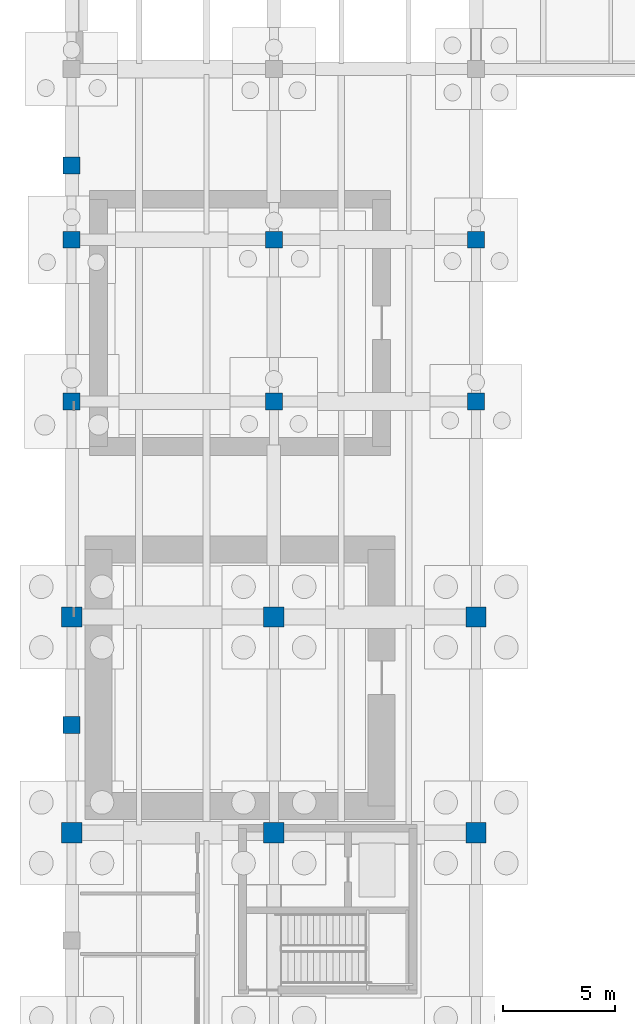
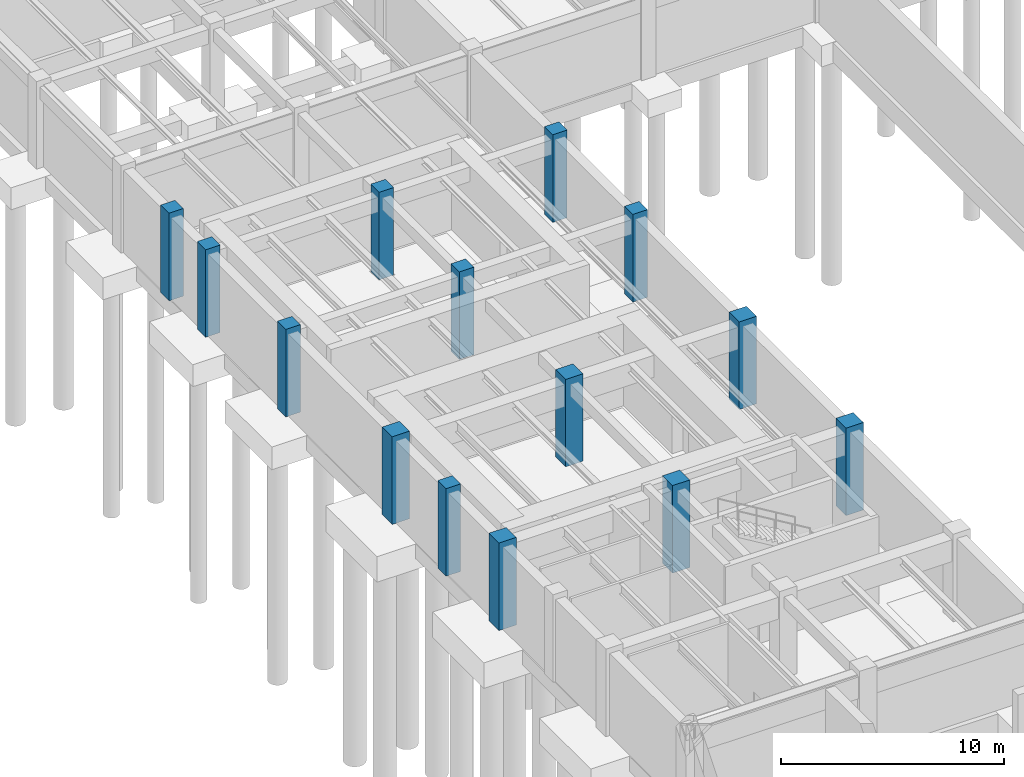
# One storey, part 20 of 59: 14 columns.
"""IFC4 building model written with IfcOpenShell, lengths in metres."""

from ifc_helpers import new_model, si_unit, direction, frame, origin, origin_2d, place, context, subcontext, project, spatial, rectangle, extrude, material, material_profile, profile_set, type_object, element, save


model = new_model("IFC4")

# Units and contexts
model_context = context("Model", 3, precision=1e-05, world=origin(), true_north=direction((0.0, 1.0)))
body_context = subcontext(model_context, "Body", "Model", "MODEL_VIEW")
ifc_project = project(units=[si_unit("LENGTHUNIT", "METRE"), si_unit("AREAUNIT", "SQUARE_METRE"), si_unit("VOLUMEUNIT", "CUBIC_METRE"), si_unit("PLANEANGLEUNIT", "RADIAN"), si_unit("MASSUNIT", "GRAM", prefix="KILO")], contexts=[model_context])

# Site, building, storey
site_placement = place(None, origin())
site = spatial("IfcSite", under=ifc_project, at=site_placement, CompositionType="ELEMENT")
building_placement = place(site_placement, origin())
building = spatial("IfcBuilding", under=site, at=building_placement, Name="Montealbar Specialist Clinic", CompositionType="ELEMENT")
storey_placement = place(building_placement, frame((0.0, 0.0, -4.800048828125)))
storey = spatial("IfcBuildingStorey", under=building, at=storey_placement, Name="B01", CompositionType="ELEMENT", Elevation=-4.800048828125)

# Columns
ifc_material_1 = material(Name="Concrete C35/45", Category="concrete")
ifc_material_profile_1 = material_profile(ifc_material_1, rectangle(XDim=0.75, YDim=0.75, at=origin_2d()), Name="RC 750x750", Category="concrete")
ifc_profile_set_1 = profile_set([ifc_material_profile_1], Name="Concrete C35/45")
column_type_1 = type_object("IfcColumnType", Name="COL-RC-B01", PredefinedType="COLUMN", material=ifc_profile_set_1)
for number, where, z_axis, x_axis, name in (
    (1, (9.0, 81.0, 0.0), (0.0, 0.0, 1.0), (1.0, 0.0, 0.0), "Column 2/K B01"),
    (2, (9.0, 88.199951171875, 0.0), (0.0, 0.0, 1.0), (1.0, 0.0, 0.0), "Column 2/L B01"),
):
    element("IfcColumn", number, at=place(storey_placement, frame(where, z_axis=z_axis, x_axis=x_axis)), inside=storey, type_object=column_type_1, Name=name, PredefinedType="COLUMN", context=body_context, shape_type="SweptSolid", body=[
        extrude(rectangle(XDim=0.75, YDim=0.75, at=origin_2d()), origin(), (0.0, 0.0, 1.0), 4.800048828125),
    ])
ifc_material_profile_2 = material_profile(ifc_material_1, rectangle(XDim=0.75, YDim=0.75, at=origin_2d()), Name="RC 750x750", Category="concrete")
ifc_profile_set_2 = profile_set([ifc_material_profile_2], Name="Concrete C35/45")
column_type_2 = type_object("IfcColumnType", Name="COL-RC-B01-EXT", PredefinedType="COLUMN", material=ifc_profile_set_2)
for number, where, z_axis, x_axis, name in (
    (3, (0.0, 81.0, 0.0), (0.0, 0.0, 1.0), (1.0, 0.0, 0.0), "Column 1/K B01"),
    (4, (0.0, 88.199951171875, 0.0), (0.0, 0.0, 1.0), (1.0, 0.0, 0.0), "Column 1/L B01"),
    (5, (18.0, 81.0, 0.0), (0.0, 0.0, 1.0), (1.0, 0.0, 0.0), "Column 3/K B01"),
    (6, (18.0, 88.199951171875, 0.0), (0.0, 0.0, 1.0), (1.0, 0.0, 0.0), "Column 3/L B01"),
):
    element("IfcColumn", number, at=place(storey_placement, frame(where, z_axis=z_axis, x_axis=x_axis)), inside=storey, type_object=column_type_2, Name=name, PredefinedType="COLUMN", context=body_context, shape_type="SweptSolid", body=[
        extrude(rectangle(XDim=0.75, YDim=0.75, at=origin_2d()), origin(), (0.0, 0.0, 1.0), 4.800048828125),
    ])
ifc_material_profile_3 = material_profile(ifc_material_1, rectangle(XDim=0.89990234375, YDim=0.89990234375, at=origin_2d()), Name="RC 900x900", Category="concrete")
ifc_profile_set_3 = profile_set([ifc_material_profile_3], Name="Concrete C35/45")
column_type_3 = type_object("IfcColumnType", Name="COL-RC-BUNKER", PredefinedType="COLUMN", material=ifc_profile_set_3)
for number, where, z_axis, x_axis, name in (
    (7, (9.0, 61.800048828125, 0.0), (0.0, 0.0, 1.0), (1.0, 0.0, 0.0), "Column 2/H B01"),
    (8, (9.0, 71.39990234375, 0.0), (0.0, 0.0, 1.0), (1.0, 0.0, 0.0), "Column 2/J B01"),
):
    element("IfcColumn", number, at=place(storey_placement, frame(where, z_axis=z_axis, x_axis=x_axis)), inside=storey, type_object=column_type_3, Name=name, PredefinedType="COLUMN", context=body_context, shape_type="SweptSolid", body=[
        extrude(rectangle(XDim=0.89990234375, YDim=0.89990234375, at=origin_2d()), origin(), (0.0, 0.0, 1.0), 4.800048828125),
    ])
ifc_material_profile_4 = material_profile(ifc_material_1, rectangle(XDim=0.89990234375, YDim=0.89990234375, at=origin_2d()), Name="RC 900x900", Category="concrete")
ifc_profile_set_4 = profile_set([ifc_material_profile_4], Name="Concrete C35/45")
column_type_4 = type_object("IfcColumnType", Name="COL-RC-BUNKER-EXT", PredefinedType="COLUMN", material=ifc_profile_set_4)
for number, where, z_axis, x_axis, name in (
    (9, (0.0, 61.800048828125, 0.0), (0.0, 0.0, 1.0), (1.0, 0.0, 0.0), "Column 1/H B01"),
    (10, (0.0, 71.39990234375, 0.0), (0.0, 0.0, 1.0), (1.0, 0.0, 0.0), "Column 1/J B01"),
    (11, (18.0, 61.800048828125, 0.0), (0.0, 0.0, 1.0), (1.0, 0.0, 0.0), "Column 3/H B01"),
    (12, (18.0, 71.39990234375, 0.0), (0.0, 0.0, 1.0), (1.0, 0.0, 0.0), "Column 3/J B01"),
):
    element("IfcColumn", number, at=place(storey_placement, frame(where, z_axis=z_axis, x_axis=x_axis)), inside=storey, type_object=column_type_4, Name=name, PredefinedType="COLUMN", context=body_context, shape_type="SweptSolid", body=[
        extrude(rectangle(XDim=0.89990234375, YDim=0.89990234375, at=origin_2d()), origin(), (0.0, 0.0, 1.0), 4.800048828125),
    ])
ifc_material_2 = material(Name="Guadarrama granite ashlar", Category="masonry")
ifc_material_profile_5 = material_profile(ifc_material_2, rectangle(XDim=0.75, YDim=0.75, at=origin_2d()), Name="GRANITE PILASTER 750x750", Category="masonry")
ifc_profile_set_5 = profile_set([ifc_material_profile_5], Name="Guadarrama granite ashlar")
column_type_5 = type_object("IfcColumnType", Name="PIL-PM-GIANT-INT", PredefinedType="PILASTER", material=ifc_profile_set_5)
for number, where, z_axis, x_axis, name in (
    (13, (0.0, 66.60009765625, 0.0), (0.0, 0.0, 1.0), (1.0, 0.0, 0.0), "Column WP2/HJ B01"),
    (14, (0.0, 91.5, 0.0), (0.0, 0.0, 1.0), (1.0, 0.0, 0.0), "Column WP3/LM B01"),
):
    element("IfcColumn", number, at=place(storey_placement, frame(where, z_axis=z_axis, x_axis=x_axis)), inside=storey, type_object=column_type_5, Name=name, PredefinedType="PILASTER", context=body_context, shape_type="SweptSolid", body=[
        extrude(rectangle(XDim=0.75, YDim=0.75, at=origin_2d()), origin(), (0.0, 0.0, 1.0), 4.800048828125),
    ])

save(model, "model.ifc")
